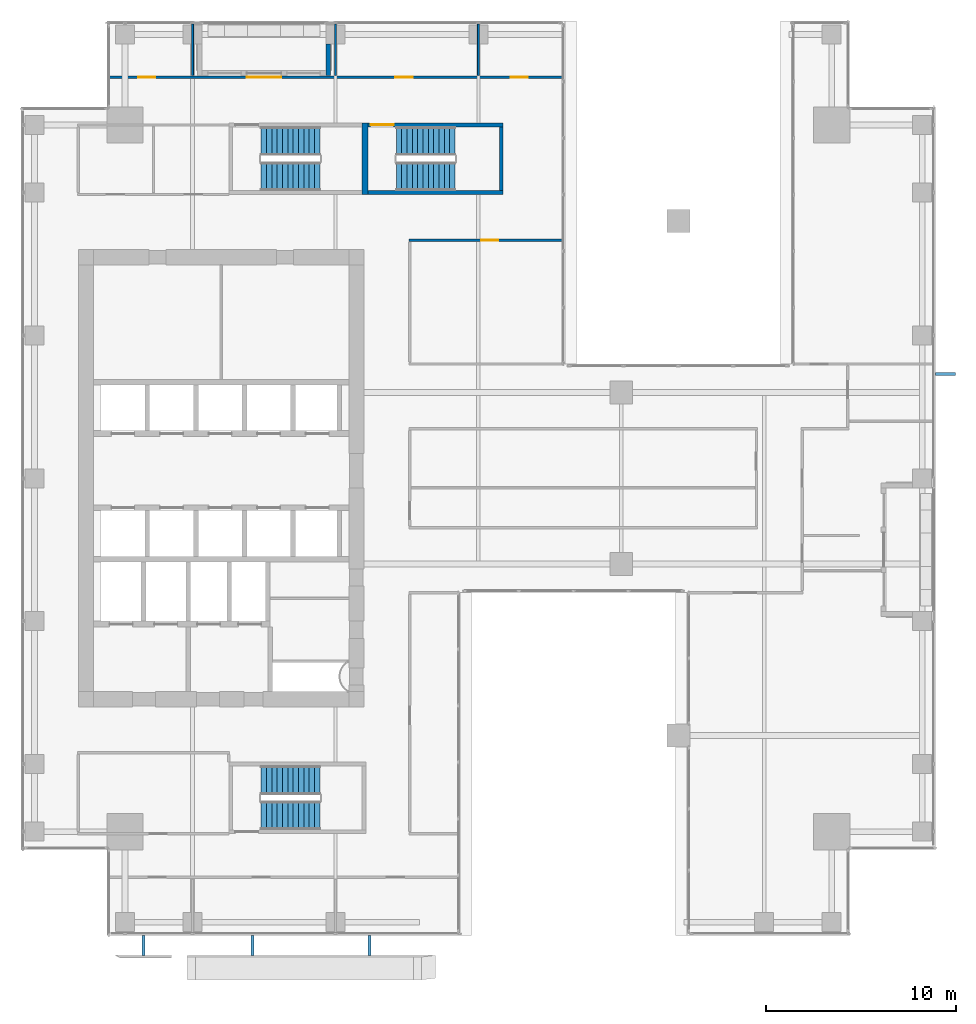
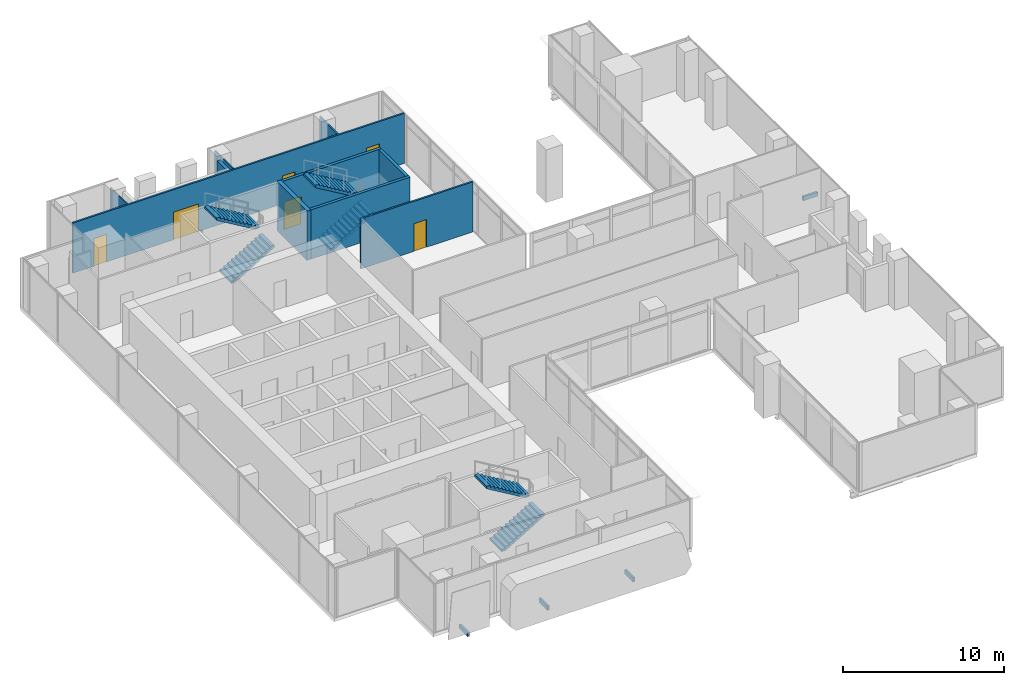
# One storey, part 34 of 37: 10 walls, 6 doors, 6 stair flights, 4 discrete accessories, 6 openings, 3 elements without a shape of their own.
"""IFC4 building model written with IfcOpenShell, lengths in metres."""

from ifc_helpers import new_model, si_unit, direction, frame, frame_2d, origin, origin_2d, place, context, subcontext, project, spatial, polyline, rectangle, outline, extrude, source, transform, mapped, material, layer, layer_set, type_object, element, fill, aggregate, save


model = new_model("IFC4")

# Units and contexts
model_context = context("Model", 3, precision=1e-05, world=origin(), true_north=direction((0.0, 1.0)))
body_context = subcontext(model_context, "Body", "Model", "MODEL_VIEW")
ifc_project = project(units=[si_unit("LENGTHUNIT", "METRE"), si_unit("AREAUNIT", "SQUARE_METRE"), si_unit("VOLUMEUNIT", "CUBIC_METRE"), si_unit("PLANEANGLEUNIT", "RADIAN"), si_unit("MASSUNIT", "GRAM", prefix="KILO")], contexts=[model_context])

# Site, building, storey
site_placement = place(None, origin())
site = spatial("IfcSite", under=ifc_project, at=site_placement, CompositionType="ELEMENT")
building_placement = place(site_placement, origin())
building = spatial("IfcBuilding", under=site, at=building_placement, Name="Khomas Fold Tower", CompositionType="ELEMENT")
storey_placement = place(building_placement, frame((0.0, 0.0, 168.699951171875)))
storey = spatial("IfcBuildingStorey", under=building, at=storey_placement, Name="L36", CompositionType="ELEMENT", Elevation=168.699951171875)

# Wall, opening, door
ifc_material_1 = material(Name="Concrete C50/60", Category="concrete")
ifc_layer_1 = layer(ifc_material_1, 0.199951171875)
ifc_layer_set_1 = layer_set([ifc_layer_1], Name="Concrete C50/60")
wall_type_1 = type_object("IfcWallType", Name="Stair wall 200", PredefinedType="SHEAR", material=ifc_layer_set_1)
shared_shape_1 = source(origin(), body_context, "Body", "SweptSolid", [
    extrude(rectangle(XDim=7.10009765625, YDim=0.199951171875, at=frame_2d((3.550048828125, 0.0))), origin(), (0.0, 0.0, 1.0), 3.75),
])
wall_1_placement = place(storey_placement, frame((21.199951171875, 45.550048828125, 0.0), z_axis=(0.0, 0.0, 1.0), x_axis=(1.0, 0.0, 0.0)))
wall_1 = element("IfcWall", 1, at=wall_1_placement, inside=storey, type_object=wall_type_1, Name="Stair wall SW-ST3-N", PredefinedType="SHEAR", context=body_context, shape_type="MappedRepresentation", body=[
    mapped(shared_shape_1, transform((0.0, 0.0, 0.0))),
])
shared_shape_2 = source(origin(), body_context, "Body", "SweptSolid", [
    extrude(rectangle(XDim=1.199951171875, YDim=2.10009765625, at=frame_2d((0.60009765625, 1.050048828125))), frame((0.0, 0.10986328125, 0.0), z_axis=(0.0, -1.0, 0.0), x_axis=(1.0, 0.0, 0.0)), (0.0, 0.0, 1.0), 0.219970703125),
])
opening_1_placement = place(wall_1_placement, frame((0.14990234375, 0.0, 0.0)))
opening_1 = element("IfcOpeningElement", 2, at=opening_1_placement, cuts=wall_1, Name="Opening SD-ST3", PredefinedType="OPENING", context=body_context, shape_type="MappedRepresentation", body=[
    mapped(shared_shape_2, transform((0.0, 0.0, 0.0))),
])
ifc_material_2 = material(Name="Steel door leaf", Category="steel")
door_type_1 = type_object("IfcDoorType", Name="Stair door 1200x2100 left-hand", OperationType="SINGLE_SWING_LEFT", PredefinedType="DOOR", material=ifc_material_2)
shared_shape_3 = source(origin(), body_context, "Body", "SweptSolid", [
    extrude(rectangle(XDim=1.199951171875, YDim=2.10009765625, at=frame_2d((0.60009765625, 1.050048828125))), frame((0.0, 0.02490234375, 0.0), z_axis=(0.0, -1.0, 0.0), x_axis=(1.0, 0.0, 0.0)), (0.0, 0.0, 1.0), 0.050048828125),
])
door_1_placement = place(opening_1_placement, origin())
door_1 = element("IfcDoor", 3, at=door_1_placement, inside=storey, type_object=door_type_1, Name="Stair door", OperationType="SINGLE_SWING_LEFT", OverallHeight=2.10009765625, OverallWidth=1.199951171875, PredefinedType="DOOR", context=body_context, shape_type="MappedRepresentation", body=[
    mapped(shared_shape_3, transform((0.0, 0.0, 0.0))),
])
fill(opening_1, door_1)

# Walls
wall_2_placement = place(storey_placement, frame((21.199951171875, 42.0, 0.0), z_axis=(0.0, 0.0, 1.0), x_axis=(1.0, 0.0, 0.0)))
element("IfcWall", 4, at=wall_2_placement, inside=storey, type_object=wall_type_1, Name="Stair wall SW-ST3-S", PredefinedType="SHEAR", context=body_context, shape_type="MappedRepresentation", body=[
    mapped(shared_shape_1, transform((0.0, 0.0, 0.0))),
])
ifc_material_3 = material(Name="Concrete C50/60", Category="concrete")
ifc_layer_2 = layer(ifc_material_3, 0.300048828125)
ifc_layer_set_2 = layer_set([ifc_layer_2], Name="Concrete C50/60")
wall_type_2 = type_object("IfcWallType", Name="Stair wall 300", PredefinedType="SHEAR", material=ifc_layer_set_2)
shared_shape_4 = source(origin(), body_context, "Body", "SweptSolid", [
    extrude(rectangle(XDim=3.75, YDim=0.300048828125, at=frame_2d((1.875, 0.0))), origin(), (0.0, 0.0, 1.0), 3.75),
])
wall_3_placement = place(storey_placement, frame((21.050048828125, 41.89990234375, 0.0), z_axis=(0.0, 0.0, 1.0), x_axis=(0.0, 1.0, 0.0)))
element("IfcWall", 5, at=wall_3_placement, inside=storey, type_object=wall_type_2, Name="Stair wall SW-ST1-E", PredefinedType="SHEAR", context=body_context, shape_type="MappedRepresentation", body=[
    mapped(shared_shape_4, transform((0.0, 0.0, 0.0))),
])
shared_shape_5 = source(origin(), body_context, "Body", "SweptSolid", [
    extrude(rectangle(XDim=3.349853515625, YDim=0.199951171875, at=frame_2d((1.6748046875, 0.0))), origin(), (0.0, 0.0, 1.0), 3.75),
])
wall_4_placement = place(storey_placement, frame((28.199951171875, 42.10009765625, 0.0), z_axis=(0.0, 0.0, 1.0), x_axis=(0.0, 1.0, 0.0)))
element("IfcWall", 6, at=wall_4_placement, inside=storey, type_object=wall_type_1, Name="Stair wall SW-ST3-E", PredefinedType="SHEAR", context=body_context, shape_type="MappedRepresentation", body=[
    mapped(shared_shape_5, transform((0.0, 0.0, 0.0))),
])
ifc_material_4 = material(Name="Natural stone", Category="masonry")
ifc_layer_3 = layer(ifc_material_4, 0.0400390625)
ifc_material_5 = material(Name="Mineral wool insulation", Category="insulation")
ifc_layer_4 = layer(ifc_material_5, 0.10009765625)
ifc_material_6 = material(Name="Masonry", Category="masonry")
ifc_layer_5 = layer(ifc_material_6, 0.110107421875)
ifc_layer_set_3 = layer_set([ifc_layer_3, ifc_layer_4, ifc_layer_5], Name="Stone-faced insulated masonry")
wall_type_3 = type_object("IfcWallType", Name="BL-Balcony wall", PredefinedType="SOLIDWALL", material=ifc_layer_set_3)
shared_shape_6 = source(origin(), body_context, "Body", "SweptSolid", [
    extrude(rectangle(XDim=1.650146484375, YDim=0.25, at=frame_2d((0.8251953125, 0.0))), origin(), (0.0, 0.0, 1.0), 3.449951171875),
])
wall_5_placement = place(storey_placement, frame((19.125, 49.800048828125, 0.0), z_axis=(0.0, 0.0, 1.0), x_axis=(0.0, -1.0, 0.0)))
element("IfcWall", 7, at=wall_5_placement, inside=storey, type_object=wall_type_3, Name="Balcony return wall BAL-L36-N1-hi", PredefinedType="SOLIDWALL", context=body_context, shape_type="MappedRepresentation", body=[
    mapped(shared_shape_6, transform((0.0, 0.0, 0.0))),
])
ifc_material_7 = material(Name="Plasterboard partition")
ifc_layer_6 = layer(ifc_material_7, 0.10009765625)
ifc_layer_set_4 = layer_set([ifc_layer_6], Name="Plasterboard partition")
wall_type_4 = type_object("IfcWallType", Name="Partition PW1 100", PredefinedType="PARTITIONING", material=ifc_layer_set_4)
shared_shape_7 = source(origin(), body_context, "Body", "SweptSolid", [
    extrude(rectangle(XDim=2.7001953125, YDim=0.10009765625, at=frame_2d((1.35009765625, 0.0))), origin(), (0.0, 0.0, 1.0), 3.25),
])
wall_6_placement = place(storey_placement, frame((12.0, 48.14990234375, 0.0), z_axis=(0.0, 0.0, 1.0), x_axis=(0.0, 1.0, 0.0)))
element("IfcWall", 8, at=wall_6_placement, inside=storey, type_object=wall_type_4, Name="Partition", PredefinedType="PARTITIONING", context=body_context, shape_type="MappedRepresentation", body=[
    mapped(shared_shape_7, transform((0.0, 0.0, 0.0))),
])
shared_shape_8 = source(origin(), body_context, "Body", "SweptSolid", [
    extrude(rectangle(XDim=2.7001953125, YDim=0.10009765625, at=frame_2d((1.35009765625, 0.0))), origin(), (0.0, 0.0, 1.0), 3.420166015625),
])
for number, where, z_axis, x_axis, name in (
    (9, (19.5, 48.14990234375, 0.0), (0.0, 0.0, 1.0), (0.0, 1.0, 0.0), "Partition"),
    (10, (27.0, 48.14990234375, 0.0), (0.0, 0.0, 1.0), (0.0, 1.0, 0.0), "Partition"),
):
    element("IfcWall", number, at=place(storey_placement, frame(where, z_axis=z_axis, x_axis=x_axis)), inside=storey, type_object=wall_type_4, Name=name, PredefinedType="PARTITIONING", context=body_context, shape_type="MappedRepresentation", body=[
        mapped(shared_shape_8, transform((0.0, 0.0, 0.0))),
    ])

# Wall, opening, door
ifc_material_8 = material(Name="Plasterboard partition")
ifc_layer_7 = layer(ifc_material_8, 0.125)
ifc_layer_set_5 = layer_set([ifc_layer_7], Name="Plasterboard partition")
wall_type_5 = type_object("IfcWallType", Name="Partition PW2 125", PredefinedType="PARTITIONING", material=ifc_layer_set_5)
shared_shape_9 = source(origin(), body_context, "Body", "SweptSolid", [
    extrude(rectangle(XDim=8.0498046875, YDim=0.125, at=frame_2d((4.02490234375, 0.0))), origin(), (0.0, 0.0, 1.0), 3.800048828125),
])
wall_7_placement = place(storey_placement, frame((23.35009765625, 39.5, 0.0), z_axis=(0.0, 0.0, 1.0), x_axis=(1.0, 0.0, 0.0)))
wall_7 = element("IfcWall", 11, at=wall_7_placement, inside=storey, type_object=wall_type_5, Name="Partition", PredefinedType="PARTITIONING", context=body_context, shape_type="MappedRepresentation", body=[
    mapped(shared_shape_9, transform((0.0, 0.0, 0.0))),
])
shared_shape_10 = source(origin(), body_context, "Body", "SweptSolid", [
    extrude(rectangle(XDim=0.89990234375, YDim=2.10009765625, at=frame_2d((0.449951171875, 1.050048828125))), frame((0.0, 0.072509765625, 0.0), z_axis=(0.0, -1.0, 0.0), x_axis=(1.0, 0.0, 0.0)), (0.0, 0.0, 1.0), 0.14501953125),
])
opening_2_placement = place(wall_7_placement, frame((3.800048828125, 0.0, 0.0)))
opening_2 = element("IfcOpeningElement", 12, at=opening_2_placement, cuts=wall_7, Name="Opening 0008", PredefinedType="OPENING", context=body_context, shape_type="MappedRepresentation", body=[
    mapped(shared_shape_10, transform((0.0, 0.0, 0.0))),
])
ifc_material_9 = material(Name="Timber door leaf", Category="wood")
door_type_2 = type_object("IfcDoorType", Name="Door 900x2100 right-hand", OperationType="SINGLE_SWING_RIGHT", PredefinedType="DOOR", material=ifc_material_9)
shared_shape_11 = source(origin(), body_context, "Body", "SweptSolid", [
    extrude(rectangle(XDim=0.89990234375, YDim=2.10009765625, at=frame_2d((0.449951171875, 1.050048828125))), frame((0.0, 0.02490234375, 0.0), z_axis=(0.0, -1.0, 0.0), x_axis=(1.0, 0.0, 0.0)), (0.0, 0.0, 1.0), 0.050048828125),
])
door_2_placement = place(opening_2_placement, origin())
door_2 = element("IfcDoor", 13, at=door_2_placement, inside=storey, type_object=door_type_2, Name="Door", OperationType="SINGLE_SWING_RIGHT", OverallHeight=2.10009765625, OverallWidth=0.89990234375, PredefinedType="DOOR", context=body_context, shape_type="MappedRepresentation", body=[
    mapped(shared_shape_11, transform((0.0, 0.0, 0.0))),
])
fill(opening_2, door_2)

# Wall, openings, doors
shared_shape_12 = source(origin(), body_context, "Body", "SweptSolid", [
    extrude(rectangle(XDim=23.75, YDim=0.125, at=frame_2d((11.875, 0.0))), origin(), (0.0, 0.0, 1.0), 3.800048828125),
])
wall_8_placement = place(storey_placement, frame((7.64990234375, 48.050048828125, 0.0), z_axis=(0.0, 0.0, 1.0), x_axis=(1.0, 0.0, 0.0)))
wall_8 = element("IfcWall", 14, at=wall_8_placement, inside=storey, type_object=wall_type_5, Name="Partition", PredefinedType="PARTITIONING", context=body_context, shape_type="MappedRepresentation", body=[
    mapped(shared_shape_12, transform((0.0, 0.0, 0.0))),
])
opening_3_placement = place(wall_8_placement, frame((1.5, 0.0, 0.0)))
opening_3 = element("IfcOpeningElement", 15, at=opening_3_placement, cuts=wall_8, Name="Opening 0008", PredefinedType="OPENING", context=body_context, shape_type="MappedRepresentation", body=[
    mapped(shared_shape_10, transform((0.0, 0.0, 0.0))),
])
shared_shape_13 = source(origin(), body_context, "Body", "SweptSolid", [
    extrude(rectangle(XDim=1.800048828125, YDim=2.10009765625, at=frame_2d((0.89990234375, 1.050048828125))), frame((0.0, 0.072509765625, 0.0), z_axis=(0.0, -1.0, 0.0), x_axis=(1.0, 0.0, 0.0)), (0.0, 0.0, 1.0), 0.14501953125),
])
opening_4_placement = place(wall_8_placement, frame((7.199951171875, 0.0, 0.0)))
opening_4 = element("IfcOpeningElement", 16, at=opening_4_placement, cuts=wall_8, Name="Opening 0022", PredefinedType="OPENING", context=body_context, shape_type="MappedRepresentation", body=[
    mapped(shared_shape_13, transform((0.0, 0.0, 0.0))),
])
opening_5_placement = place(wall_8_placement, frame((15.0, 0.0, 0.0)))
opening_5 = element("IfcOpeningElement", 17, at=opening_5_placement, cuts=wall_8, Name="Opening 0008", PredefinedType="OPENING", context=body_context, shape_type="MappedRepresentation", body=[
    mapped(shared_shape_10, transform((0.0, 0.0, 0.0))),
])
opening_6_placement = place(wall_8_placement, frame((21.050048828125, 0.0, 0.0)))
opening_6 = element("IfcOpeningElement", 18, at=opening_6_placement, cuts=wall_8, Name="Opening 0008", PredefinedType="OPENING", context=body_context, shape_type="MappedRepresentation", body=[
    mapped(shared_shape_10, transform((0.0, 0.0, 0.0))),
])
door_3_placement = place(opening_3_placement, origin())
door_3 = element("IfcDoor", 19, at=door_3_placement, inside=storey, type_object=door_type_2, Name="Door", OperationType="SINGLE_SWING_RIGHT", OverallHeight=2.10009765625, OverallWidth=0.89990234375, PredefinedType="DOOR", context=body_context, shape_type="MappedRepresentation", body=[
    mapped(shared_shape_11, transform((0.0, 0.0, 0.0))),
])
fill(opening_3, door_3)
door_4_placement = place(opening_5_placement, origin())
door_4 = element("IfcDoor", 20, at=door_4_placement, inside=storey, type_object=door_type_2, Name="Door", OperationType="SINGLE_SWING_RIGHT", OverallHeight=2.10009765625, OverallWidth=0.89990234375, PredefinedType="DOOR", context=body_context, shape_type="MappedRepresentation", body=[
    mapped(shared_shape_11, transform((0.0, 0.0, 0.0))),
])
fill(opening_5, door_4)
door_5_placement = place(opening_6_placement, origin())
door_5 = element("IfcDoor", 21, at=door_5_placement, inside=storey, type_object=door_type_2, Name="Door", OperationType="SINGLE_SWING_RIGHT", OverallHeight=2.10009765625, OverallWidth=0.89990234375, PredefinedType="DOOR", context=body_context, shape_type="MappedRepresentation", body=[
    mapped(shared_shape_11, transform((0.0, 0.0, 0.0))),
])
fill(opening_6, door_5)
ifc_material_10 = material(Name="Timber door leaf", Category="wood")
door_type_3 = type_object("IfcDoorType", Name="Door 1800x2100", OperationType="DOUBLE_DOOR_SINGLE_SWING", PredefinedType="DOOR", material=ifc_material_10)
shared_shape_14 = source(origin(), body_context, "Body", "SweptSolid", [
    extrude(rectangle(XDim=1.800048828125, YDim=2.10009765625, at=frame_2d((0.89990234375, 1.050048828125))), frame((0.0, 0.02490234375, 0.0), z_axis=(0.0, -1.0, 0.0), x_axis=(1.0, 0.0, 0.0)), (0.0, 0.0, 1.0), 0.050048828125),
])
door_6_placement = place(opening_4_placement, origin())
door_6 = element("IfcDoor", 22, at=door_6_placement, inside=storey, type_object=door_type_3, Name="Door", OperationType="DOUBLE_DOOR_SINGLE_SWING", OverallHeight=2.10009765625, OverallWidth=1.800048828125, PredefinedType="DOOR", context=body_context, shape_type="MappedRepresentation", body=[
    mapped(shared_shape_14, transform((0.0, 0.0, 0.0))),
])
fill(opening_4, door_6)

# Stair, stair flights
ifc_material_11 = material(Name="Concrete C40/50", Category="concrete")
stair_type_1 = type_object("IfcStairType", Name="Stair ST1", PredefinedType="HALF_TURN_STAIR", material=ifc_material_11)
stair_1_placement = place(storey_placement, origin())
stair_1 = element("IfcStair", 23, at=stair_1_placement, inside=storey, type_object=stair_type_1, Name="L36 ST1", PredefinedType="HALF_TURN_STAIR")
ifc_material_12 = material(Name="Concrete C40/50", Category="concrete")
stair_flight_type_1 = type_object("IfcStairFlightType", Name="Stair flight 1500 ST1", PredefinedType="STRAIGHT", material=ifc_material_12)
shared_shape_15 = source(origin(), body_context, "Body", "SweptSolid", [
    extrude(outline(polyline([(0.0, 0.0), (0.0, 0.012939453125), (0.0, 0.025634765625), (0.0, 0.03857421875), (0.0, 0.05126953125), (0.0, 0.064208984375), (0.0, 0.076904296875), (0.0, 0.08984375), (0.0, 0.1025390625), (0.0, 0.115478515625), (0.0, 0.128173828125), (0.0, 0.14111328125), (0.0, 0.15380859375), (0.0, 0.166748046875), (0.280029296875, 0.166748046875), (0.280029296875, 0.333251953125), (0.56005859375, 0.333251953125), (0.56005859375, 0.5), (0.840087890625, 0.5), (0.840087890625, 0.666748046875), (1.1201171875, 0.666748046875), (1.1201171875, 0.833251953125), (1.39990234375, 0.833251953125), (1.39990234375, 1.0), (1.679931640625, 1.0), (1.679931640625, 1.166748046875), (1.9599609375, 1.166748046875), (1.9599609375, 1.333251953125), (2.239990234375, 1.333251953125), (2.239990234375, 1.5), (2.52001953125, 1.5), (2.52001953125, 1.666748046875), (2.800048828125, 1.666748046875), (2.800048828125, 1.833251953125), (3.080078125, 1.833251953125), (3.080078125, 2.0), (3.080078125, 1.973876953125), (3.080078125, 1.947509765625), (3.080078125, 1.92138671875), (3.080078125, 1.89501953125), (3.080078125, 1.868896484375), (3.080078125, 1.842529296875), (3.080078125, 1.81640625), (3.080078125, 1.7900390625), (3.080078125, 1.763916015625), (3.080078125, 1.737548828125), (3.080078125, 1.71142578125), (3.080078125, 1.68505859375), (3.080078125, 1.658935546875), (0.29296875, 0.0), (0.0, 0.0)])), frame((0.0, 0.75, 0.0), z_axis=(0.0, -1.0, 0.0), x_axis=(1.0, 0.0, 0.0)), (0.0, 0.0, 1.0), 1.5),
])
stair_flight_1_placement = place(storey_placement, frame((15.60009765625, 42.85009765625, 0.0), z_axis=(0.0, 0.0, 1.0), x_axis=(1.0, 0.0, 0.0)))
stair_flight_1 = element("IfcStairFlight", 24, at=stair_flight_1_placement, type_object=stair_flight_type_1, Name="ST1 flight 1", NumberOfRisers=12, NumberOfTreads=11, PredefinedType="STRAIGHT", RiserHeight=0.166666667, TreadLength=0.28, context=body_context, shape_type="MappedRepresentation", body=[
    mapped(shared_shape_15, transform((0.0, 0.0, 0.0))),
])
stair_flight_2_placement = place(storey_placement, frame((18.679931640625, 44.699951171875, 2.0), z_axis=(0.0, 0.0, 1.0), x_axis=(-1.0, 0.0, 0.0)))
stair_flight_2 = element("IfcStairFlight", 25, at=stair_flight_2_placement, type_object=stair_flight_type_1, Name="ST1 flight 2", NumberOfRisers=12, NumberOfTreads=11, PredefinedType="STRAIGHT", RiserHeight=0.166666667, TreadLength=0.28, context=body_context, shape_type="MappedRepresentation", body=[
    mapped(shared_shape_15, transform((0.0, 0.0, 0.0))),
])
aggregate(stair_1, [stair_flight_1, stair_flight_2])

ifc_material_13 = material(Name="Concrete C40/50", Category="concrete")
stair_type_2 = type_object("IfcStairType", Name="Stair ST2", PredefinedType="HALF_TURN_STAIR", material=ifc_material_13)
stair_2_placement = place(storey_placement, origin())
stair_2 = element("IfcStair", 26, at=stair_2_placement, inside=storey, type_object=stair_type_2, Name="L36 ST2", PredefinedType="HALF_TURN_STAIR")
ifc_material_14 = material(Name="Concrete C40/50", Category="concrete")
stair_flight_type_2 = type_object("IfcStairFlightType", Name="Stair flight 1500 ST2", PredefinedType="STRAIGHT", material=ifc_material_14)
stair_flight_3_placement = place(storey_placement, frame((15.60009765625, 9.300048828125, 0.0), z_axis=(0.0, 0.0, 1.0), x_axis=(1.0, 0.0, 0.0)))
stair_flight_3 = element("IfcStairFlight", 27, at=stair_flight_3_placement, type_object=stair_flight_type_2, Name="ST2 flight 1", NumberOfRisers=12, NumberOfTreads=11, PredefinedType="STRAIGHT", RiserHeight=0.166666667, TreadLength=0.28, context=body_context, shape_type="MappedRepresentation", body=[
    mapped(shared_shape_15, transform((0.0, 0.0, 0.0))),
])
stair_flight_4_placement = place(storey_placement, frame((18.679931640625, 11.14990234375, 2.0), z_axis=(0.0, 0.0, 1.0), x_axis=(-1.0, 0.0, 0.0)))
stair_flight_4 = element("IfcStairFlight", 28, at=stair_flight_4_placement, type_object=stair_flight_type_2, Name="ST2 flight 2", NumberOfRisers=12, NumberOfTreads=11, PredefinedType="STRAIGHT", RiserHeight=0.166666667, TreadLength=0.28, context=body_context, shape_type="MappedRepresentation", body=[
    mapped(shared_shape_15, transform((0.0, 0.0, 0.0))),
])
aggregate(stair_2, [stair_flight_3, stair_flight_4])

ifc_material_15 = material(Name="Concrete C40/50", Category="concrete")
stair_type_3 = type_object("IfcStairType", Name="Stair ST3", PredefinedType="HALF_TURN_STAIR", material=ifc_material_15)
stair_3_placement = place(storey_placement, origin())
stair_3 = element("IfcStair", 29, at=stair_3_placement, inside=storey, type_object=stair_type_3, Name="L36 ST3", PredefinedType="HALF_TURN_STAIR")
ifc_material_16 = material(Name="Concrete C40/50", Category="concrete")
stair_flight_type_3 = type_object("IfcStairFlightType", Name="Stair flight 1500 ST3", PredefinedType="STRAIGHT", material=ifc_material_16)
stair_flight_5_placement = place(storey_placement, frame((22.699951171875, 42.85009765625, 0.0), z_axis=(0.0, 0.0, 1.0), x_axis=(1.0, 0.0, 0.0)))
stair_flight_5 = element("IfcStairFlight", 30, at=stair_flight_5_placement, type_object=stair_flight_type_3, Name="ST3 flight 1", NumberOfRisers=12, NumberOfTreads=11, PredefinedType="STRAIGHT", RiserHeight=0.166666667, TreadLength=0.28, context=body_context, shape_type="MappedRepresentation", body=[
    mapped(shared_shape_15, transform((0.0, 0.0, 0.0))),
])
stair_flight_6_placement = place(storey_placement, frame((25.780029296875, 44.699951171875, 2.0), z_axis=(0.0, 0.0, 1.0), x_axis=(-1.0, 0.0, 0.0)))
stair_flight_6 = element("IfcStairFlight", 31, at=stair_flight_6_placement, type_object=stair_flight_type_3, Name="ST3 flight 2", NumberOfRisers=12, NumberOfTreads=11, PredefinedType="STRAIGHT", RiserHeight=0.166666667, TreadLength=0.28, context=body_context, shape_type="MappedRepresentation", body=[
    mapped(shared_shape_15, transform((0.0, 0.0, 0.0))),
])
aggregate(stair_3, [stair_flight_5, stair_flight_6])

# Discrete accessories
ifc_material_17 = material(Name="Stainless steel", Category="steel")
discrete_accessory_type = type_object("IfcDiscreteAccessoryType", Name="SK-Stainless steel stone bracket", PredefinedType="BRACKET", material=ifc_material_17)
shared_shape_16 = source(origin(), body_context, "Body", "SweptSolid", [
    extrude(rectangle(XDim=1.05126953125, YDim=0.14990234375, at=origin_2d()), origin(), (0.0, 0.0, 1.0), 0.31005859375),
])
for number, where, z_axis, x_axis, name in (
    (32, (15.150634765625, 2.474365234375, -0.25), (0.0, 0.0, 1.0), (0.0, -1.0, 0.0), "Stone bracket L36 SS03-1-1"),
    (33, (21.2919921875, 2.474365234375, -0.25), (0.0, 0.0, 1.0), (0.0, -1.0, 0.0), "Stone bracket L36 SS03-1-2"),
    (34, (51.525634765625, 32.468505859375, -0.25), (0.0, 0.0, 1.0), (1.0, 0.0, 0.0), "Stone bracket L36 ES06-1-2"),
    (35, (9.42529296875, 2.474365234375, -0.25), (0.0, 0.0, 1.0), (0.0, -1.0, 0.0), "Stone bracket L36 SG099-1-1"),
):
    element("IfcDiscreteAccessory", number, at=place(storey_placement, frame(where, z_axis=z_axis, x_axis=x_axis)), inside=storey, type_object=discrete_accessory_type, Name=name, PredefinedType="BRACKET", context=body_context, shape_type="MappedRepresentation", body=[
        mapped(shared_shape_16, transform((0.0, 0.0, 0.0))),
    ])

save(model, "model.ifc")
